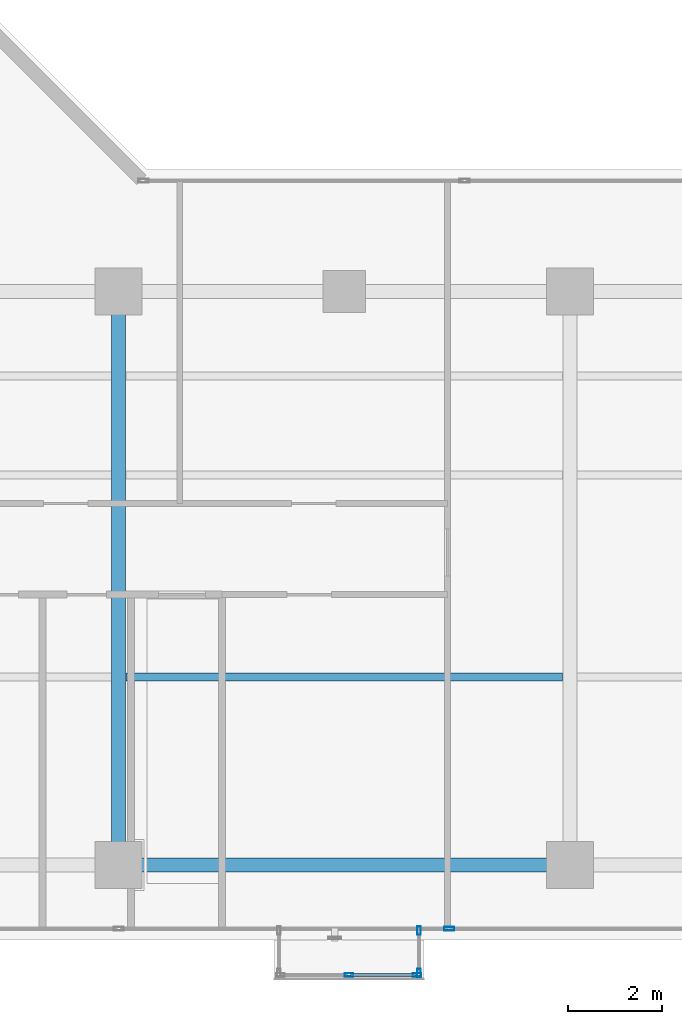
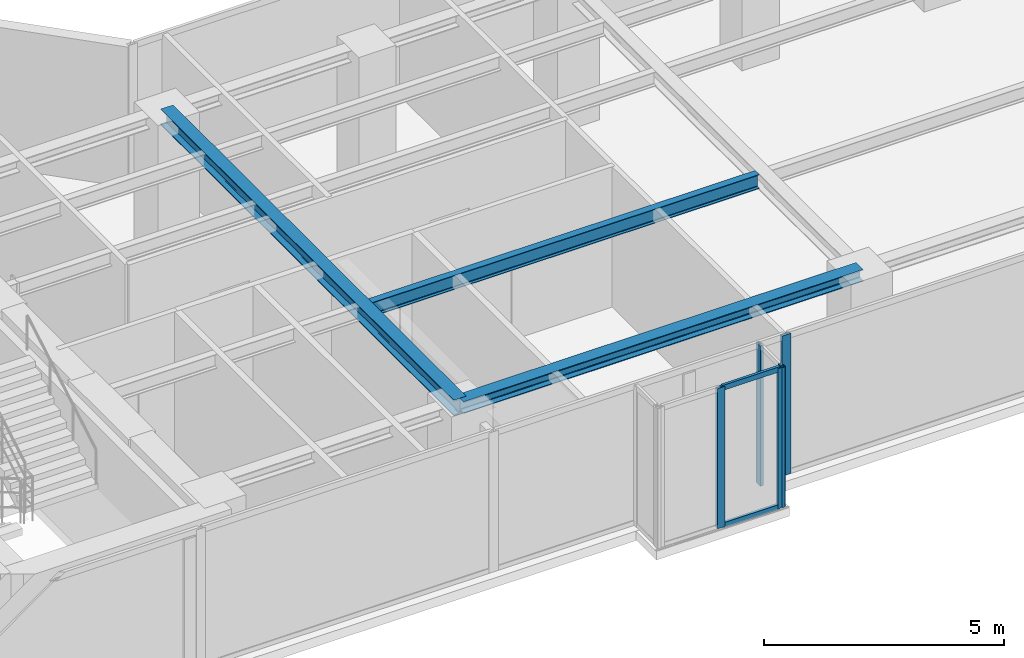
# One storey, part 5 of 25: 7 members, 3 beams, 3 elements without a shape of their own.
"""IFC4 building model written with IfcOpenShell, lengths in metres."""

from ifc_helpers import new_model, si_unit, direction, frame, origin, origin_with_axes, origin_2d, place, context, subcontext, project, spatial, hollow_rectangle, i_section, extrude, source, transform, mapped, material, layer, layer_set, material_profile, profile_set, type_object, element, aggregate, save


model = new_model("IFC4")

# Units and contexts
model_context = context("Model", 3, precision=1e-05, world=origin(), true_north=direction((0.0, 1.0)))
body_context = subcontext(model_context, "Body", "Model", "MODEL_VIEW")
ifc_project = project(units=[si_unit("LENGTHUNIT", "METRE"), si_unit("AREAUNIT", "SQUARE_METRE"), si_unit("VOLUMEUNIT", "CUBIC_METRE"), si_unit("PLANEANGLEUNIT", "RADIAN"), si_unit("MASSUNIT", "GRAM", prefix="KILO")], contexts=[model_context])

# Site, building, storey
site_placement = place(None, origin())
site = spatial("IfcSite", under=ifc_project, at=site_placement, CompositionType="ELEMENT")
building_placement = place(site_placement, origin())
building = spatial("IfcBuilding", under=site, at=building_placement, Name="Kolvaren Waterfront Exchange", CompositionType="ELEMENT")
storey_placement = place(building_placement, frame((0.0, 0.0, 204.5)))
storey = spatial("IfcBuildingStorey", under=building, at=storey_placement, Name="L52", CompositionType="ELEMENT", Elevation=204.5)

# Beams
ifc_material_1 = material(Name="Steel S355", Category="steel")
ifc_material_profile_1 = material_profile(ifc_material_1, i_section(OverallWidth=0.300048828125, OverallDepth=0.300048828125, WebThickness=0.010986328125, FlangeThickness=0.01904296875, FilletRadius=0.027099609375, at=origin_2d()), Name="HEB300")
ifc_profile_set_1 = profile_set([ifc_material_profile_1], Name="Steel S355")
beam_type_1 = type_object("IfcBeamType", Name="STR-BM-HEB300", PredefinedType="SPANDREL", material=ifc_profile_set_1)
beam_1_placement = place(storey_placement, frame((27.199951171875, 5.199951171875, 3.409912109375), z_axis=(1.0, 0.0, 0.0), x_axis=(0.0, 1.0, 0.0)))
element("IfcBeam", 1, at=beam_1_placement, inside=storey, type_object=beam_type_1, Name="L52 east-arm spandrel S2", PredefinedType="SPANDREL", context=body_context, shape_type="SweptSolid", body=[
    extrude(i_section(OverallWidth=0.300048828125, OverallDepth=0.300048828125, WebThickness=0.010986328125, FlangeThickness=0.01904296875, FilletRadius=0.027099609375, at=origin_2d()), origin(), (0.0, 0.0, 1.0), 9.60009765625),
])
ifc_material_profile_2 = material_profile(ifc_material_1, i_section(OverallWidth=0.300048828125, OverallDepth=0.39990234375, WebThickness=0.013427734375, FlangeThickness=0.02392578125, FilletRadius=0.027099609375, at=origin_2d()), Name="HEB400")
ifc_profile_set_2 = profile_set([ifc_material_profile_2], Name="Steel S355")
beam_type_2 = type_object("IfcBeamType", Name="STR-BM-HEB400", PredefinedType="BEAM", material=ifc_profile_set_2)
beam_2_placement = place(storey_placement, frame((27.199951171875, 5.199951171875, 3.360107421875), z_axis=(0.0, 1.0, 0.0), x_axis=(-1.0, 0.0, 0.0)))
element("IfcBeam", 2, at=beam_2_placement, inside=storey, type_object=beam_type_2, Name="L52 east-arm transverse girder X27", PredefinedType="BEAM", context=body_context, shape_type="SweptSolid", body=[
    extrude(i_section(OverallWidth=0.300048828125, OverallDepth=0.39990234375, WebThickness=0.013427734375, FlangeThickness=0.02392578125, FilletRadius=0.027099609375, at=origin_2d()), origin(), (0.0, 0.0, 1.0), 12.199951171875),
])
ifc_material_profile_3 = material_profile(ifc_material_1, i_section(OverallWidth=0.169921875, OverallDepth=0.360107421875, WebThickness=0.008056640625, FlangeThickness=0.0126953125, FilletRadius=0.01806640625, at=origin_2d()), Name="IPE360")
ifc_profile_set_3 = profile_set([ifc_material_profile_3], Name="Steel S355")
beam_type_3 = type_object("IfcBeamType", Name="STR-BM-IPE360", PredefinedType="JOIST", material=ifc_profile_set_3)
beam_3_placement = place(storey_placement, frame((27.35205078125, 9.199951171875, 3.3798828125), z_axis=(1.0, 0.0, 0.0), x_axis=(0.0, 1.0, 0.0)))
element("IfcBeam", 3, at=beam_3_placement, inside=storey, type_object=beam_type_3, Name="L52 east-arm composite joist 2B", PredefinedType="JOIST", context=body_context, shape_type="SweptSolid", body=[
    extrude(i_section(OverallWidth=0.169921875, OverallDepth=0.360107421875, WebThickness=0.008056640625, FlangeThickness=0.0126953125, FilletRadius=0.01806640625, at=origin_2d()), origin(), (0.0, 0.0, 1.0), 9.2958984375),
])

# Curtain wall, members
ifc_material_2 = material(Name="Anodised bronze aluminium 6063-T6", Category="aluminium")
ifc_layer_1 = layer(ifc_material_2, 0.219970703125, Name="Anodised bronze aluminium 6063-T6")
ifc_layer_set_1 = layer_set([ifc_layer_1], Name="Anodised bronze aluminium 6063-T6")
curtain_wall_type_1 = type_object("IfcCurtainWallType", Name="ARC-CW-SYS3", PredefinedType="USERDEFINED", material=ifc_layer_set_1)
curtain_wall_1_placement = place(storey_placement, origin())
curtain_wall_1 = element("IfcCurtainWall", 4, at=curtain_wall_1_placement, inside=storey, type_object=curtain_wall_type_1, Name="L52 stick curtain wall CW3 (CW-L52-BOX)", ObjectType="STICK CURTAIN WALL", PredefinedType="USERDEFINED")
ifc_material_profile_4 = material_profile(ifc_material_2, hollow_rectangle(XDim=0.06494140625, YDim=0.1298828125, WallThickness=0.00390625, at=origin_2d()), Name="ALU-TRN-130x65x4")
ifc_profile_set_4 = profile_set([ifc_material_profile_4], Name="Anodised bronze aluminium 6063-T6")
member_type_1 = type_object("IfcMemberType", Name="ARC-CWT-130", PredefinedType="USERDEFINED", material=ifc_profile_set_4)
shared_shape_1 = source(origin_with_axes(), body_context, "Body", "SweptSolid", [
    extrude(hollow_rectangle(XDim=0.06494140625, YDim=0.1298828125, WallThickness=0.00390625, at=origin_2d()), origin(), (0.0, 0.0, 1.0), 1.37744140625),
])
member_1_placement = place(storey_placement, frame((32.137451171875, 2.860107421875, 0.032470703125), z_axis=(1.0, 0.0, 0.0), x_axis=(0.0, 1.0, 0.0)))
member_1 = element("IfcMember", 5, at=member_1_placement, type_object=member_type_1, Name="CW3 transom 2.1", ObjectType="TRANSOM", PredefinedType="USERDEFINED", context=body_context, shape_type="MappedRepresentation", body=[
    mapped(shared_shape_1, transform((0.0, 0.0, 0.0), x_axis=(1.0, 0.0, 0.0), y_axis=(0.0, 1.0, 0.0), z_axis=(0.0, 0.0, 1.0), scale=1.0)),
])
member_2_placement = place(storey_placement, frame((32.137451171875, 2.860107421875, 3.527587890625), z_axis=(1.0, 0.0, 0.0), x_axis=(0.0, 1.0, 0.0)))
member_2 = element("IfcMember", 6, at=member_2_placement, type_object=member_type_1, Name="CW3 transom 2.2", ObjectType="TRANSOM", PredefinedType="USERDEFINED", context=body_context, shape_type="MappedRepresentation", body=[
    mapped(shared_shape_1, transform((0.0, 0.0, 0.0), x_axis=(1.0, 0.0, 0.0), y_axis=(0.0, 1.0, 0.0), z_axis=(0.0, 0.0, 1.0), scale=1.0)),
])
ifc_material_profile_5 = material_profile(ifc_material_2, hollow_rectangle(XDim=0.074951171875, YDim=0.179931640625, WallThickness=0.00439453125, at=origin_2d()), Name="ALU-MUL-180x75x4.5")
ifc_profile_set_5 = profile_set([ifc_material_profile_5], Name="Anodised bronze aluminium 6063-T6")
member_type_2 = type_object("IfcMemberType", Name="ARC-CWM-180", PredefinedType="MULLION", material=ifc_profile_set_5)
shared_shape_2 = source(origin_with_axes(), body_context, "Body", "SweptSolid", [
    extrude(hollow_rectangle(XDim=0.074951171875, YDim=0.179931640625, WallThickness=0.00439453125, at=origin_2d()), origin(), (0.0, 0.0, 1.0), 3.56005859375),
])
member_3_placement = place(storey_placement, frame((32.10009765625, 2.860107421875, 0.0), z_axis=(0.0, 0.0, 1.0), x_axis=(0.0, 1.0, 0.0)))
member_3 = element("IfcMember", 7, at=member_3_placement, type_object=member_type_2, Name="CW3 mullion 2", PredefinedType="MULLION", context=body_context, shape_type="MappedRepresentation", body=[
    mapped(shared_shape_2, transform((0.0, 0.0, 0.0), x_axis=(1.0, 0.0, 0.0), y_axis=(0.0, 1.0, 0.0), z_axis=(0.0, 0.0, 1.0), scale=1.0)),
])
member_4_placement = place(storey_placement, frame((33.552490234375, 2.860107421875, 0.0), z_axis=(0.0, 0.0, 1.0), x_axis=(0.0, 1.0, 0.0)))
member_4 = element("IfcMember", 8, at=member_4_placement, type_object=member_type_2, Name="CW3 mullion 3", PredefinedType="MULLION", context=body_context, shape_type="MappedRepresentation", body=[
    mapped(shared_shape_2, transform((0.0, 0.0, 0.0), x_axis=(1.0, 0.0, 0.0), y_axis=(0.0, 1.0, 0.0), z_axis=(0.0, 0.0, 1.0), scale=1.0)),
])
aggregate(curtain_wall_1, [member_3, member_4, member_1, member_2])

curtain_wall_2_placement = place(storey_placement, origin())
curtain_wall_2 = element("IfcCurtainWall", 9, at=curtain_wall_2_placement, inside=storey, type_object=curtain_wall_type_1, Name="L52 stick curtain wall CW3 (CW-L52-BOX-E)", ObjectType="STICK CURTAIN WALL", PredefinedType="USERDEFINED")
member_5_placement = place(storey_placement, frame((33.590087890625, 2.8974609375, 0.0), z_axis=(0.0, 0.0, 1.0), x_axis=(-1.0, 0.0, 0.0)))
member_5 = element("IfcMember", 10, at=member_5_placement, type_object=member_type_2, Name="CW3 mullion 1", PredefinedType="MULLION", context=body_context, shape_type="MappedRepresentation", body=[
    mapped(shared_shape_2, transform((0.0, 0.0, 0.0), x_axis=(1.0, 0.0, 0.0), y_axis=(0.0, 1.0, 0.0), z_axis=(0.0, 0.0, 1.0), scale=1.0)),
])
member_6_placement = place(storey_placement, frame((33.590087890625, 3.802490234375, 0.0), z_axis=(0.0, 0.0, 1.0), x_axis=(-1.0, 0.0, 0.0)))
member_6 = element("IfcMember", 11, at=member_6_placement, type_object=member_type_2, Name="CW3 mullion 2", PredefinedType="MULLION", context=body_context, shape_type="MappedRepresentation", body=[
    mapped(shared_shape_2, transform((0.0, 0.0, 0.0), x_axis=(1.0, 0.0, 0.0), y_axis=(0.0, 1.0, 0.0), z_axis=(0.0, 0.0, 1.0), scale=1.0)),
])
aggregate(curtain_wall_2, [member_5, member_6])

# Curtain wall, member
ifc_layer_2 = layer(ifc_material_2, 0.219970703125, Name="Anodised bronze aluminium 6063-T6")
ifc_layer_set_2 = layer_set([ifc_layer_2], Name="Anodised bronze aluminium 6063-T6")
curtain_wall_type_2 = type_object("IfcCurtainWallType", Name="ARC-CW-SYS1", PredefinedType="USERDEFINED", material=ifc_layer_set_2)
curtain_wall_3_placement = place(storey_placement, origin())
curtain_wall_3 = element("IfcCurtainWall", 12, at=curtain_wall_3_placement, inside=storey, type_object=curtain_wall_type_2, Name="L52 stick curtain wall CW1 (CW-L52-S)", ObjectType="STICK CURTAIN WALL", PredefinedType="USERDEFINED")
ifc_material_3 = material(Name="Anodised aluminium 6063-T6", Category="aluminium")
ifc_material_profile_6 = material_profile(ifc_material_3, hollow_rectangle(XDim=0.080078125, YDim=0.219970703125, WallThickness=0.0048828125, at=origin_2d()), Name="ALU-MUL-220x80x5")
ifc_profile_set_6 = profile_set([ifc_material_profile_6], Name="Anodised aluminium 6063-T6")
member_type_3 = type_object("IfcMemberType", Name="ARC-CWM-220", PredefinedType="MULLION", material=ifc_profile_set_6)
shared_shape_3 = source(origin_with_axes(), body_context, "Body", "SweptSolid", [
    extrude(hollow_rectangle(XDim=0.080078125, YDim=0.219970703125, WallThickness=0.0048828125, at=origin_2d()), origin(), (0.0, 0.0, 1.0), 3.56005859375),
])
member_7_placement = place(storey_placement, frame((34.2333984375, 3.840087890625, 0.0), z_axis=(0.0, 0.0, 1.0), x_axis=(0.0, 1.0, 0.0)))
member_7 = element("IfcMember", 13, at=member_7_placement, type_object=member_type_3, Name="CW1 mullion 5", PredefinedType="MULLION", context=body_context, shape_type="MappedRepresentation", body=[
    mapped(shared_shape_3, transform((0.0, 0.0, 0.0), x_axis=(1.0, 0.0, 0.0), y_axis=(0.0, 1.0, 0.0), z_axis=(0.0, 0.0, 1.0), scale=1.0)),
])
aggregate(curtain_wall_3, [member_7])

save(model, "model.ifc")
